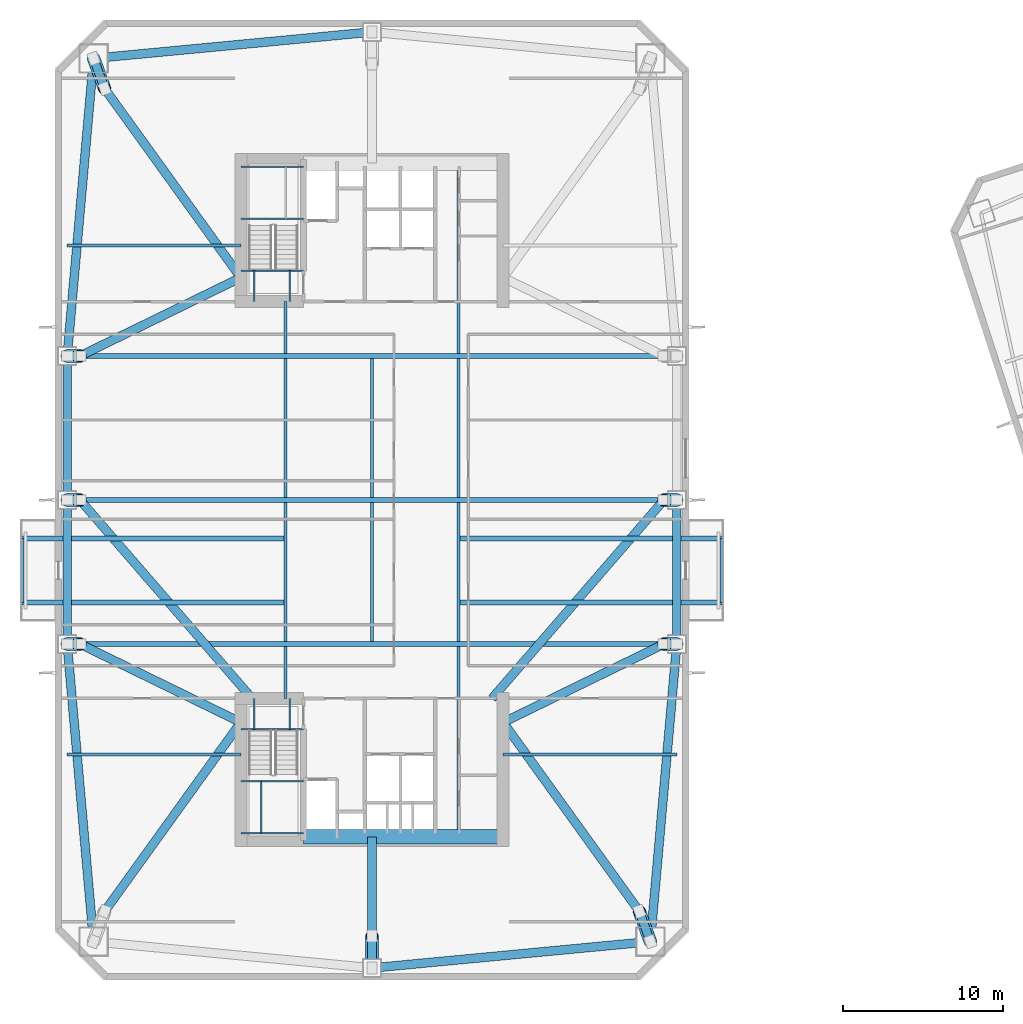
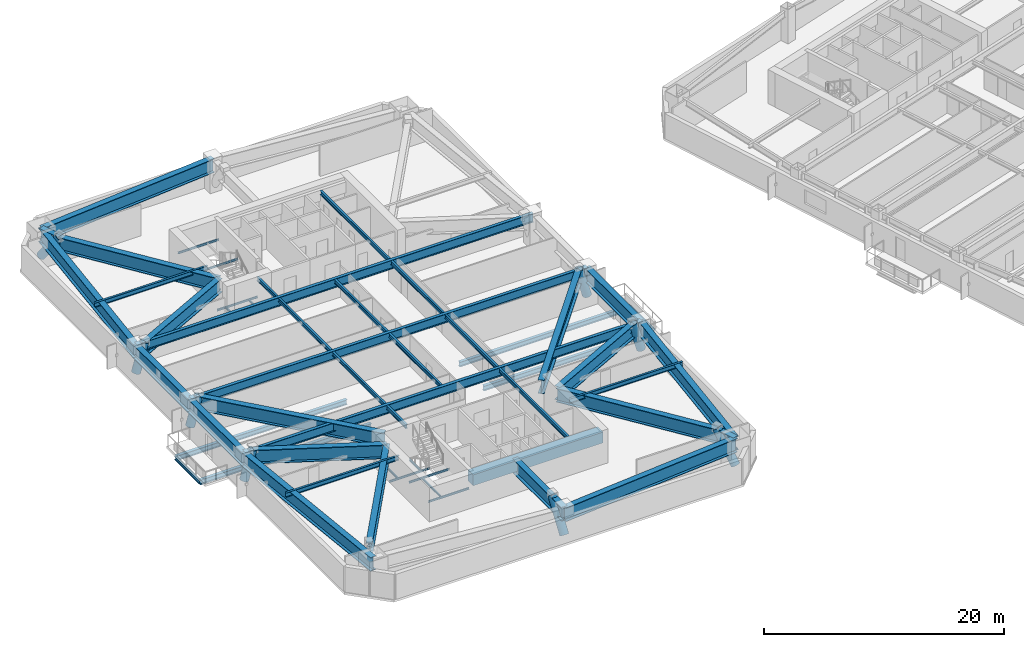
# One storey, part 3 of 19: 59 beams, 8 members.
"""IFC4 building model written with IfcOpenShell, lengths in metres."""

from ifc_helpers import new_model, si_unit, direction, frame, origin, origin_2d, place, context, subcontext, project, spatial, rectangle, hollow_circle, i_section, extrude, material, material_profile, profile_set, type_object, element, save


model = new_model("IFC4")

# Units and contexts
model_context = context("Model", 3, precision=1e-05, world=origin(), true_north=direction((0.0, 1.0)))
body_context = subcontext(model_context, "Body", "Model", "MODEL_VIEW")
ifc_project = project(units=[si_unit("LENGTHUNIT", "METRE"), si_unit("AREAUNIT", "SQUARE_METRE"), si_unit("VOLUMEUNIT", "CUBIC_METRE"), si_unit("PLANEANGLEUNIT", "RADIAN"), si_unit("MASSUNIT", "GRAM", prefix="KILO")], contexts=[model_context])

# Site, building, storey
site_placement = place(None, origin())
site = spatial("IfcSite", under=ifc_project, at=site_placement, CompositionType="ELEMENT")
building_placement = place(site_placement, origin())
building = spatial("IfcBuilding", under=site, at=building_placement, Name="Qiaolan Cultural Towers", CompositionType="ELEMENT")
storey_placement = place(building_placement, frame((0.0, 0.0, 88.550048828125)))
storey = spatial("IfcBuildingStorey", under=building, at=storey_placement, Name="L22", CompositionType="ELEMENT", Elevation=88.550048828125)

# Beams
ifc_material_1 = material(Name="Steel Q420GJB", Category="steel")
ifc_material_profile_1 = material_profile(ifc_material_1, i_section(OverallWidth=0.550048828125, OverallDepth=1.39990234375, WebThickness=0.031982421875, FlangeThickness=0.050048828125, at=origin_2d()), Name="BH1400x550x32x50")
ifc_profile_set_1 = profile_set([ifc_material_profile_1], Name="Steel Q420GJB")
beam_type_1 = type_object("IfcBeamType", Name="BM-BH1400x550x32x50", PredefinedType="BEAM", material=ifc_profile_set_1)
beam_1_placement = place(storey_placement, frame((13.2900390625, 8.2900390625, 2.469970703125), z_axis=(0.584610869257, 0.811313830491, 0.0), x_axis=(-0.811313830491, 0.584610869257, 0.0)))
element("IfcBeam", 1, at=beam_1_placement, inside=storey, type_object=beam_type_1, Name="L22 T1 Setback Transfer Girder MC-SW-B", PredefinedType="BEAM", context=body_context, shape_type="SweptSolid", body=[
    extrude(i_section(OverallWidth=0.550048828125, OverallDepth=1.39990234375, WebThickness=0.031982421875, FlangeThickness=0.050048828125, at=origin_2d()), origin(), (0.0, 0.0, 1.0), 14.556640625),
])
beam_2_placement = place(storey_placement, frame((47.39990234375, 6.39990234375, 2.469970703125), z_axis=(-0.342892389038, 0.939374690706, 0.0), x_axis=(-0.939374690706, -0.342892389038, 0.0)))
element("IfcBeam", 2, at=beam_2_placement, inside=storey, type_object=beam_type_1, Name="L22 T1 Setback Transfer Girder MC-SE-A", PredefinedType="BEAM", context=body_context, shape_type="SweptSolid", body=[
    extrude(i_section(OverallWidth=0.550048828125, OverallDepth=1.39990234375, WebThickness=0.031982421875, FlangeThickness=0.050048828125, at=origin_2d()), origin(), (0.0, 0.0, 1.0), 2.01220703125),
])
beam_3_placement = place(storey_placement, frame((46.7099609375, 8.2900390625, 2.469970703125), z_axis=(-0.584610869257, 0.811313830491, 0.0), x_axis=(-0.811313830491, -0.584610869257, 0.0)))
element("IfcBeam", 3, at=beam_3_placement, inside=storey, type_object=beam_type_1, Name="L22 T1 Setback Transfer Girder MC-SE-B", PredefinedType="BEAM", context=body_context, shape_type="SweptSolid", body=[
    extrude(i_section(OverallWidth=0.550048828125, OverallDepth=1.39990234375, WebThickness=0.031982421875, FlangeThickness=0.050048828125, at=origin_2d()), origin(), (0.0, 0.0, 1.0), 14.556640625),
])
beam_4_placement = place(storey_placement, frame((12.60009765625, 61.60009765625, 2.469970703125), z_axis=(0.342892389038, -0.939374690706, 0.0), x_axis=(0.939374690706, 0.342892389038, 0.0)))
element("IfcBeam", 4, at=beam_4_placement, inside=storey, type_object=beam_type_1, Name="L22 T1 Setback Transfer Girder MC-NW-A", PredefinedType="BEAM", context=body_context, shape_type="SweptSolid", body=[
    extrude(i_section(OverallWidth=0.550048828125, OverallDepth=1.39990234375, WebThickness=0.031982421875, FlangeThickness=0.050048828125, at=origin_2d()), origin(), (0.0, 0.0, 1.0), 2.01220703125),
])
beam_5_placement = place(storey_placement, frame((13.2900390625, 59.7099609375, 2.469970703125), z_axis=(0.584610869257, -0.811313830491, 0.0), x_axis=(0.811313830491, 0.584610869257, 0.0)))
element("IfcBeam", 5, at=beam_5_placement, inside=storey, type_object=beam_type_1, Name="L22 T1 Setback Transfer Girder MC-NW-B", PredefinedType="BEAM", context=body_context, shape_type="SweptSolid", body=[
    extrude(i_section(OverallWidth=0.550048828125, OverallDepth=1.39990234375, WebThickness=0.031982421875, FlangeThickness=0.050048828125, at=origin_2d()), origin(), (0.0, 0.0, 1.0), 14.556640625),
])
beam_6_placement = place(storey_placement, frame((10.949951171875, 25.0, 2.469970703125), z_axis=(1.0, 0.0, 0.0), x_axis=(0.0, 1.0, 0.0)))
element("IfcBeam", 6, at=beam_6_placement, inside=storey, type_object=beam_type_1, Name="L22 T1 Setback Transfer Girder PC-W1-A", PredefinedType="BEAM", context=body_context, shape_type="SweptSolid", body=[
    extrude(i_section(OverallWidth=0.550048828125, OverallDepth=1.39990234375, WebThickness=0.031982421875, FlangeThickness=0.050048828125, at=origin_2d()), origin(), (0.0, 0.0, 1.0), 0.800048828125),
])
beam_7_placement = place(storey_placement, frame((11.75, 25.0, 2.469970703125), z_axis=(0.898858664648, -0.43823863475, 0.0), x_axis=(0.43823863475, 0.898858664648, 0.0)))
element("IfcBeam", 7, at=beam_7_placement, inside=storey, type_object=beam_type_1, Name="L22 T1 Setback Transfer Girder PC-W1-B", PredefinedType="BEAM", context=body_context, shape_type="SweptSolid", body=[
    extrude(i_section(OverallWidth=0.550048828125, OverallDepth=1.39990234375, WebThickness=0.031982421875, FlangeThickness=0.050048828125, at=origin_2d()), origin(), (0.0, 0.0, 1.0), 11.180908203125),
])
beam_8_placement = place(storey_placement, frame((10.949951171875, 34.0, 2.469970703125), z_axis=(1.0, 0.0, 0.0), x_axis=(0.0, 1.0, 0.0)))
element("IfcBeam", 8, at=beam_8_placement, inside=storey, type_object=beam_type_1, Name="L22 T1 Setback Transfer Girder PC-W2-A", PredefinedType="BEAM", context=body_context, shape_type="SweptSolid", body=[
    extrude(i_section(OverallWidth=0.550048828125, OverallDepth=1.39990234375, WebThickness=0.031982421875, FlangeThickness=0.050048828125, at=origin_2d()), origin(), (0.0, 0.0, 1.0), 0.800048828125),
])
beam_9_placement = place(storey_placement, frame((11.75, 34.0, 2.469970703125), z_axis=(0.655049468138, -0.755585993976, 0.0), x_axis=(0.755585993976, 0.655049468138, 0.0)))
element("IfcBeam", 9, at=beam_9_placement, inside=storey, type_object=beam_type_1, Name="L22 T1 Setback Transfer Girder PC-W2-B", PredefinedType="BEAM", context=body_context, shape_type="SweptSolid", body=[
    extrude(i_section(OverallWidth=0.550048828125, OverallDepth=1.39990234375, WebThickness=0.031982421875, FlangeThickness=0.050048828125, at=origin_2d()), origin(), (0.0, 0.0, 1.0), 16.410888671875),
])
beam_10_placement = place(storey_placement, frame((10.949951171875, 43.0, 2.469970703125), z_axis=(1.0, 0.0, 0.0), x_axis=(0.0, 1.0, 0.0)))
element("IfcBeam", 10, at=beam_10_placement, inside=storey, type_object=beam_type_1, Name="L22 T1 Setback Transfer Girder PC-W3-A", PredefinedType="BEAM", context=body_context, shape_type="SweptSolid", body=[
    extrude(i_section(OverallWidth=0.550048828125, OverallDepth=1.39990234375, WebThickness=0.031982421875, FlangeThickness=0.050048828125, at=origin_2d()), origin(), (0.0, 0.0, 1.0), 0.800048828125),
])
beam_11_placement = place(storey_placement, frame((11.75, 43.0, 2.469970703125), z_axis=(0.898858664648, 0.43823863475, 0.0), x_axis=(-0.43823863475, 0.898858664648, 0.0)))
element("IfcBeam", 11, at=beam_11_placement, inside=storey, type_object=beam_type_1, Name="L22 T1 Setback Transfer Girder PC-W3-B", PredefinedType="BEAM", context=body_context, shape_type="SweptSolid", body=[
    extrude(i_section(OverallWidth=0.550048828125, OverallDepth=1.39990234375, WebThickness=0.031982421875, FlangeThickness=0.050048828125, at=origin_2d()), origin(), (0.0, 0.0, 1.0), 11.180908203125),
])
beam_12_placement = place(storey_placement, frame((49.050048828125, 25.0, 2.469970703125), z_axis=(-1.0, 0.0, 0.0), x_axis=(0.0, -1.0, 0.0)))
element("IfcBeam", 12, at=beam_12_placement, inside=storey, type_object=beam_type_1, Name="L22 T1 Setback Transfer Girder PC-E1-A", PredefinedType="BEAM", context=body_context, shape_type="SweptSolid", body=[
    extrude(i_section(OverallWidth=0.550048828125, OverallDepth=1.39990234375, WebThickness=0.031982421875, FlangeThickness=0.050048828125, at=origin_2d()), origin(), (0.0, 0.0, 1.0), 0.800048828125),
])
beam_13_placement = place(storey_placement, frame((48.25, 25.0, 2.469970703125), z_axis=(-0.898858664648, -0.43823863475, 0.0), x_axis=(0.43823863475, -0.898858664648, 0.0)))
element("IfcBeam", 13, at=beam_13_placement, inside=storey, type_object=beam_type_1, Name="L22 T1 Setback Transfer Girder PC-E1-B", PredefinedType="BEAM", context=body_context, shape_type="SweptSolid", body=[
    extrude(i_section(OverallWidth=0.550048828125, OverallDepth=1.39990234375, WebThickness=0.031982421875, FlangeThickness=0.050048828125, at=origin_2d()), origin(), (0.0, 0.0, 1.0), 11.180908203125),
])
beam_14_placement = place(storey_placement, frame((49.050048828125, 34.0, 2.469970703125), z_axis=(-1.0, 0.0, 0.0), x_axis=(0.0, -1.0, 0.0)))
element("IfcBeam", 14, at=beam_14_placement, inside=storey, type_object=beam_type_1, Name="L22 T1 Setback Transfer Girder PC-E2-A", PredefinedType="BEAM", context=body_context, shape_type="SweptSolid", body=[
    extrude(i_section(OverallWidth=0.550048828125, OverallDepth=1.39990234375, WebThickness=0.031982421875, FlangeThickness=0.050048828125, at=origin_2d()), origin(), (0.0, 0.0, 1.0), 0.800048828125),
])
beam_15_placement = place(storey_placement, frame((48.25, 34.0, 2.469970703125), z_axis=(-0.655049468138, -0.755585993976, 0.0), x_axis=(0.755585993976, -0.655049468138, 0.0)))
element("IfcBeam", 15, at=beam_15_placement, inside=storey, type_object=beam_type_1, Name="L22 T1 Setback Transfer Girder PC-E2-B", PredefinedType="BEAM", context=body_context, shape_type="SweptSolid", body=[
    extrude(i_section(OverallWidth=0.550048828125, OverallDepth=1.39990234375, WebThickness=0.031982421875, FlangeThickness=0.050048828125, at=origin_2d()), origin(), (0.0, 0.0, 1.0), 16.410888671875),
])
beam_16_placement = place(storey_placement, frame((30.0, 4.75, 2.469970703125), z_axis=(0.0, 1.0, 0.0), x_axis=(-1.0, 0.0, 0.0)))
element("IfcBeam", 16, at=beam_16_placement, inside=storey, type_object=beam_type_1, Name="L22 T1 Setback Transfer Girder PC-S0-A", PredefinedType="BEAM", context=body_context, shape_type="SweptSolid", body=[
    extrude(i_section(OverallWidth=0.550048828125, OverallDepth=1.39990234375, WebThickness=0.031982421875, FlangeThickness=0.050048828125, at=origin_2d()), origin(), (0.0, 0.0, 1.0), 2.0),
])
beam_17_placement = place(storey_placement, frame((30.0, 6.75, 2.469970703125), z_axis=(0.0, 1.0, 0.0), x_axis=(-1.0, 0.0, 0.0)))
element("IfcBeam", 17, at=beam_17_placement, inside=storey, type_object=beam_type_1, Name="L22 T1 Setback Transfer Girder PC-S0-B", PredefinedType="BEAM", context=body_context, shape_type="SweptSolid", body=[
    extrude(i_section(OverallWidth=0.550048828125, OverallDepth=1.39990234375, WebThickness=0.031982421875, FlangeThickness=0.050048828125, at=origin_2d()), origin(), (0.0, 0.0, 1.0), 6.199951171875),
])
beam_18_placement = place(storey_placement, frame((30.0, 4.75, 2.469970703125), z_axis=(0.995534437156, 0.094399070104, 0.0), x_axis=(-0.094399070104, 0.995534437156, 0.0)))
element("IfcBeam", 18, at=beam_18_placement, inside=storey, type_object=beam_type_1, Name="L22 T1 Perimeter Spandrel Beam 2", PredefinedType="BEAM", context=body_context, shape_type="SweptSolid", body=[
    extrude(i_section(OverallWidth=0.550048828125, OverallDepth=1.39990234375, WebThickness=0.031982421875, FlangeThickness=0.050048828125, at=origin_2d()), origin(), (0.0, 0.0, 1.0), 17.47802734375),
])
beam_19_placement = place(storey_placement, frame((47.39990234375, 6.39990234375, 2.469970703125), z_axis=(0.08837000091, 0.996087718496, 0.0), x_axis=(-0.996087718496, 0.08837000091, 0.0)))
element("IfcBeam", 19, at=beam_19_placement, inside=storey, type_object=beam_type_1, Name="L22 T1 Perimeter Spandrel Beam 3", PredefinedType="BEAM", context=body_context, shape_type="SweptSolid", body=[
    extrude(i_section(OverallWidth=0.550048828125, OverallDepth=1.39990234375, WebThickness=0.031982421875, FlangeThickness=0.050048828125, at=origin_2d()), origin(), (0.0, 0.0, 1.0), 18.673095703125),
])
beam_20_placement = place(storey_placement, frame((49.050048828125, 25.0, 2.469970703125), z_axis=(0.0, 1.0, 0.0), x_axis=(-1.0, 0.0, 0.0)))
element("IfcBeam", 20, at=beam_20_placement, inside=storey, type_object=beam_type_1, Name="L22 T1 Perimeter Spandrel Beam 4", PredefinedType="BEAM", context=body_context, shape_type="SweptSolid", body=[
    extrude(i_section(OverallWidth=0.550048828125, OverallDepth=1.39990234375, WebThickness=0.031982421875, FlangeThickness=0.050048828125, at=origin_2d()), origin(), (0.0, 0.0, 1.0), 9.0),
])
beam_21_placement = place(storey_placement, frame((30.0, 63.25, 2.469970703125), z_axis=(-0.995534437156, -0.094399070104, 0.0), x_axis=(0.094399070104, -0.995534437156, 0.0)))
element("IfcBeam", 21, at=beam_21_placement, inside=storey, type_object=beam_type_1, Name="L22 T1 Perimeter Spandrel Beam 8", PredefinedType="BEAM", context=body_context, shape_type="SweptSolid", body=[
    extrude(i_section(OverallWidth=0.550048828125, OverallDepth=1.39990234375, WebThickness=0.031982421875, FlangeThickness=0.050048828125, at=origin_2d()), origin(), (0.0, 0.0, 1.0), 17.47802734375),
])
beam_22_placement = place(storey_placement, frame((12.60009765625, 61.60009765625, 2.469970703125), z_axis=(-0.08837000091, -0.996087718496, 0.0), x_axis=(0.996087718496, -0.08837000091, 0.0)))
element("IfcBeam", 22, at=beam_22_placement, inside=storey, type_object=beam_type_1, Name="L22 T1 Perimeter Spandrel Beam 9", PredefinedType="BEAM", context=body_context, shape_type="SweptSolid", body=[
    extrude(i_section(OverallWidth=0.550048828125, OverallDepth=1.39990234375, WebThickness=0.031982421875, FlangeThickness=0.050048828125, at=origin_2d()), origin(), (0.0, 0.0, 1.0), 18.673095703125),
])
for number, where, z_axis, x_axis, name in (
    (23, (10.949951171875, 43.0, 2.469970703125), (0.0, -1.0, 0.0), (1.0, 0.0, 0.0), "L22 T1 Perimeter Spandrel Beam 10"),
    (24, (10.949951171875, 34.0, 2.469970703125), (0.0, -1.0, 0.0), (1.0, 0.0, 0.0), "L22 T1 Perimeter Spandrel Beam 11"),
):
    element("IfcBeam", number, at=place(storey_placement, frame(where, z_axis=z_axis, x_axis=x_axis)), inside=storey, type_object=beam_type_1, Name=name, PredefinedType="BEAM", context=body_context, shape_type="SweptSolid", body=[
        extrude(i_section(OverallWidth=0.550048828125, OverallDepth=1.39990234375, WebThickness=0.031982421875, FlangeThickness=0.050048828125, at=origin_2d()), origin(), (0.0, 0.0, 1.0), 9.0),
    ])
beam_23_placement = place(storey_placement, frame((10.949951171875, 25.0, 2.469970703125), z_axis=(0.08837000091, -0.996087718496, 0.0), x_axis=(0.996087718496, 0.08837000091, 0.0)))
element("IfcBeam", 25, at=beam_23_placement, inside=storey, type_object=beam_type_1, Name="L22 T1 Perimeter Spandrel Beam 12", PredefinedType="BEAM", context=body_context, shape_type="SweptSolid", body=[
    extrude(i_section(OverallWidth=0.550048828125, OverallDepth=1.39990234375, WebThickness=0.031982421875, FlangeThickness=0.050048828125, at=origin_2d()), origin(), (0.0, 0.0, 1.0), 18.673095703125),
])
ifc_material_2 = material(Name="Steel Q355B", Category="steel")
ifc_material_profile_2 = material_profile(ifc_material_2, i_section(OverallWidth=0.300048828125, OverallDepth=0.488037109375, WebThickness=0.010986328125, FlangeThickness=0.01806640625, at=origin_2d()), Name="HM488x300x11x18")
ifc_profile_set_2 = profile_set([ifc_material_profile_2], Name="Steel Q355B")
beam_type_2 = type_object("IfcBeamType", Name="BM-HM488x300x11x18", PredefinedType="BEAM", material=ifc_profile_set_2)
for number, where, z_axis, x_axis, name in (
    (26, (24.60009765625, 27.60009765625, -0.524169921875), (-1.0, 0.0, 0.0), (0.0, -1.0, 0.0), "L22 T1 Tree Balcony Back-Spanned Bracket Beam"),
    (27, (24.60009765625, 31.60009765625, -0.524169921875), (-1.0, 0.0, 0.0), (0.0, -1.0, 0.0), "L22 T1 Tree Balcony Back-Spanned Bracket Beam"),
    (28, (35.39990234375, 27.60009765625, -0.524169921875), (1.0, 0.0, 0.0), (0.0, 1.0, 0.0), "L22 T1 Tree Balcony Back-Spanned Bracket Beam"),
    (29, (35.39990234375, 31.60009765625, -0.524169921875), (1.0, 0.0, 0.0), (0.0, 1.0, 0.0), "L22 T1 Tree Balcony Back-Spanned Bracket Beam"),
):
    element("IfcBeam", number, at=place(storey_placement, frame(where, z_axis=z_axis, x_axis=x_axis)), inside=storey, type_object=beam_type_2, Name=name, PredefinedType="BEAM", context=body_context, shape_type="SweptSolid", body=[
        extrude(i_section(OverallWidth=0.300048828125, OverallDepth=0.488037109375, WebThickness=0.010986328125, FlangeThickness=0.01806640625, at=origin_2d()), origin(), (0.0, 0.0, 1.0), 16.4501953125),
    ])
ifc_material_3 = material(Name="Steel Q355B", Category="steel")
ifc_material_profile_3 = material_profile(ifc_material_3, i_section(OverallWidth=0.300048828125, OverallDepth=0.89990234375, WebThickness=0.01611328125, FlangeThickness=0.028076171875, at=origin_2d()), Name="HN900x300x16x28")
ifc_profile_set_3 = profile_set([ifc_material_profile_3], Name="Steel Q355B")
beam_type_3 = type_object("IfcBeamType", Name="BM-HN900x300x16x28", PredefinedType="BEAM", material=ifc_profile_set_3)
for number, where, z_axis, x_axis, name in (
    (30, (10.949951171875, 25.0, 2.719970703125), (1.0, 0.0, 0.0), (0.0, 1.0, 0.0), "L22 T1 Primary Transverse Girder V1"),
    (31, (10.949951171875, 34.0, 2.719970703125), (1.0, 0.0, 0.0), (0.0, 1.0, 0.0), "L22 T1 Primary Transverse Girder V2"),
    (32, (10.949951171875, 43.0, 2.719970703125), (1.0, 0.0, 0.0), (0.0, 1.0, 0.0), "L22 T1 Primary Transverse Girder V3"),
):
    element("IfcBeam", number, at=place(storey_placement, frame(where, z_axis=z_axis, x_axis=x_axis)), inside=storey, type_object=beam_type_3, Name=name, PredefinedType="BEAM", context=body_context, shape_type="SweptSolid", body=[
        extrude(i_section(OverallWidth=0.300048828125, OverallDepth=0.89990234375, WebThickness=0.01611328125, FlangeThickness=0.028076171875, at=origin_2d()), origin(), (0.0, 0.0, 1.0), 38.10009765625),
    ])
ifc_material_4 = material(Name="Steel Q355B", Category="steel")
ifc_material_profile_4 = material_profile(ifc_material_4, i_section(OverallWidth=0.175048828125, OverallDepth=0.35009765625, WebThickness=0.007080078125, FlangeThickness=0.010986328125, at=origin_2d()), Name="HN350x175x7x11")
ifc_profile_set_4 = profile_set([ifc_material_profile_4], Name="Steel Q355B")
beam_type_4 = type_object("IfcBeamType", Name="BM-JST-HN350x175x7x11", PredefinedType="JOIST", material=ifc_profile_set_4)
for number, where, z_axis, x_axis, name in (
    (33, (8.14990234375, 27.60009765625, -0.524169921875), (0.0, 1.0, 0.0), (-1.0, 0.0, 0.0), "L22 T1 Tree Balcony Outer Edge Beam"),
    (34, (51.85009765625, 27.60009765625, -0.524169921875), (0.0, 1.0, 0.0), (-1.0, 0.0, 0.0), "L22 T1 Tree Balcony Outer Edge Beam"),
):
    element("IfcBeam", number, at=place(storey_placement, frame(where, z_axis=z_axis, x_axis=x_axis)), inside=storey, type_object=beam_type_4, Name=name, PredefinedType="JOIST", context=body_context, shape_type="SweptSolid", body=[
        extrude(i_section(OverallWidth=0.175048828125, OverallDepth=0.35009765625, WebThickness=0.007080078125, FlangeThickness=0.010986328125, at=origin_2d()), origin(), (0.0, 0.0, 1.0), 4.0),
    ])
ifc_material_5 = material(Name="Steel Q355B", Category="steel")
ifc_material_profile_5 = material_profile(ifc_material_5, i_section(OverallWidth=0.199951171875, OverallDepth=0.39990234375, WebThickness=0.008056640625, FlangeThickness=0.012939453125, at=origin_2d()), Name="HN400x200x8x13")
ifc_profile_set_5 = profile_set([ifc_material_profile_5], Name="Steel Q355B")
beam_type_5 = type_object("IfcBeamType", Name="BM-JST-HN400x200x8x13", PredefinedType="JOIST", material=ifc_profile_set_5)
beam_24_placement = place(storey_placement, frame((24.60009765625, 21.60009765625, 2.969970703125), z_axis=(0.0, 1.0, 0.0), x_axis=(-1.0, 0.0, 0.0)))
element("IfcBeam", 35, at=beam_24_placement, inside=storey, type_object=beam_type_5, Name="L22 T1 Secondary Floor Joist U1-1", PredefinedType="JOIST", context=body_context, shape_type="SweptSolid", body=[
    extrude(i_section(OverallWidth=0.199951171875, OverallDepth=0.39990234375, WebThickness=0.008056640625, FlangeThickness=0.012939453125, at=origin_2d()), origin(), (0.0, 0.0, 1.0), 3.25),
])
for number, where, z_axis, x_axis, name in (
    (36, (24.60009765625, 25.14990234375, 2.969970703125), (0.0, 1.0, 0.0), (-1.0, 0.0, 0.0), "L22 T1 Secondary Floor Joist U1-2"),
    (37, (24.60009765625, 34.14990234375, 2.969970703125), (0.0, 1.0, 0.0), (-1.0, 0.0, 0.0), "L22 T1 Secondary Floor Joist U1-3"),
):
    element("IfcBeam", number, at=place(storey_placement, frame(where, z_axis=z_axis, x_axis=x_axis)), inside=storey, type_object=beam_type_5, Name=name, PredefinedType="JOIST", context=body_context, shape_type="SweptSolid", body=[
        extrude(i_section(OverallWidth=0.199951171875, OverallDepth=0.39990234375, WebThickness=0.008056640625, FlangeThickness=0.012939453125, at=origin_2d()), origin(), (0.0, 0.0, 1.0), 8.7001953125),
    ])
beam_25_placement = place(storey_placement, frame((24.60009765625, 43.14990234375, 2.969970703125), z_axis=(0.0, 1.0, 0.0), x_axis=(-1.0, 0.0, 0.0)))
element("IfcBeam", 38, at=beam_25_placement, inside=storey, type_object=beam_type_5, Name="L22 T1 Secondary Floor Joist U1-4", PredefinedType="JOIST", context=body_context, shape_type="SweptSolid", body=[
    extrude(i_section(OverallWidth=0.199951171875, OverallDepth=0.39990234375, WebThickness=0.008056640625, FlangeThickness=0.012939453125, at=origin_2d()), origin(), (0.0, 0.0, 1.0), 3.25),
])
for number, where, z_axis, x_axis, name in (
    (39, (30.0, 25.14990234375, 2.969970703125), (0.0, 1.0, 0.0), (-1.0, 0.0, 0.0), "L22 T1 Secondary Floor Joist U2-2"),
    (40, (30.0, 34.14990234375, 2.969970703125), (0.0, 1.0, 0.0), (-1.0, 0.0, 0.0), "L22 T1 Secondary Floor Joist U2-3"),
):
    element("IfcBeam", number, at=place(storey_placement, frame(where, z_axis=z_axis, x_axis=x_axis)), inside=storey, type_object=beam_type_5, Name=name, PredefinedType="JOIST", context=body_context, shape_type="SweptSolid", body=[
        extrude(i_section(OverallWidth=0.199951171875, OverallDepth=0.39990234375, WebThickness=0.008056640625, FlangeThickness=0.012939453125, at=origin_2d()), origin(), (0.0, 0.0, 1.0), 8.7001953125),
    ])
beam_26_placement = place(storey_placement, frame((35.39990234375, 13.39990234375, 2.969970703125), z_axis=(0.0, 1.0, 0.0), x_axis=(-1.0, 0.0, 0.0)))
element("IfcBeam", 41, at=beam_26_placement, inside=storey, type_object=beam_type_5, Name="L22 T1 Secondary Floor Joist U3-1", PredefinedType="JOIST", context=body_context, shape_type="SweptSolid", body=[
    extrude(i_section(OverallWidth=0.199951171875, OverallDepth=0.39990234375, WebThickness=0.008056640625, FlangeThickness=0.012939453125, at=origin_2d()), origin(), (0.0, 0.0, 1.0), 11.4501953125),
])
for number, where, z_axis, x_axis, name in (
    (42, (35.39990234375, 25.14990234375, 2.969970703125), (0.0, 1.0, 0.0), (-1.0, 0.0, 0.0), "L22 T1 Secondary Floor Joist U3-2"),
    (43, (35.39990234375, 34.14990234375, 2.969970703125), (0.0, 1.0, 0.0), (-1.0, 0.0, 0.0), "L22 T1 Secondary Floor Joist U3-3"),
):
    element("IfcBeam", number, at=place(storey_placement, frame(where, z_axis=z_axis, x_axis=x_axis)), inside=storey, type_object=beam_type_5, Name=name, PredefinedType="JOIST", context=body_context, shape_type="SweptSolid", body=[
        extrude(i_section(OverallWidth=0.199951171875, OverallDepth=0.39990234375, WebThickness=0.008056640625, FlangeThickness=0.012939453125, at=origin_2d()), origin(), (0.0, 0.0, 1.0), 8.7001953125),
    ])
beam_27_placement = place(storey_placement, frame((35.39990234375, 43.14990234375, 2.969970703125), z_axis=(0.0, 1.0, 0.0), x_axis=(-1.0, 0.0, 0.0)))
element("IfcBeam", 44, at=beam_27_placement, inside=storey, type_object=beam_type_5, Name="L22 T1 Secondary Floor Joist U3-4", PredefinedType="JOIST", context=body_context, shape_type="SweptSolid", body=[
    extrude(i_section(OverallWidth=0.199951171875, OverallDepth=0.39990234375, WebThickness=0.008056640625, FlangeThickness=0.012939453125, at=origin_2d()), origin(), (0.0, 0.0, 1.0), 11.4501953125),
])
ifc_material_6 = material(Name="Steel Q355B", Category="steel")
ifc_material_profile_6 = material_profile(ifc_material_6, i_section(OverallWidth=0.199951171875, OverallDepth=0.449951171875, WebThickness=0.009033203125, FlangeThickness=0.013916015625, at=origin_2d()), Name="HN450x200x9x14")
ifc_profile_set_6 = profile_set([ifc_material_profile_6], Name="Steel Q355B")
beam_type_6 = type_object("IfcBeamType", Name="BM-LNT-HN450x200x9x14", PredefinedType="LINTEL", material=ifc_profile_set_6)
for number, where, z_axis, x_axis, name in (
    (45, (21.800048828125, 18.10009765625, 2.945068359375), (-1.0, 0.0, 0.0), (0.0, -1.0, 0.0), "L22 T1 Core Flank Tie Lintel WS"),
    (46, (21.800048828125, 49.89990234375, 2.945068359375), (-1.0, 0.0, 0.0), (0.0, -1.0, 0.0), "L22 T1 Core Flank Tie Lintel WN"),
    (47, (38.199951171875, 18.10009765625, 2.945068359375), (1.0, 0.0, 0.0), (0.0, 1.0, 0.0), "L22 T1 Core Flank Tie Lintel ES"),
):
    element("IfcBeam", number, at=place(storey_placement, frame(where, z_axis=z_axis, x_axis=x_axis)), inside=storey, type_object=beam_type_6, Name=name, PredefinedType="LINTEL", context=body_context, shape_type="SweptSolid", body=[
        extrude(i_section(OverallWidth=0.199951171875, OverallDepth=0.449951171875, WebThickness=0.009033203125, FlangeThickness=0.013916015625, at=origin_2d()), origin(), (0.0, 0.0, 1.0), 10.85009765625),
    ])
ifc_material_7 = material(Name="Concrete C50", Category="concrete")
ifc_material_profile_7 = material_profile(ifc_material_7, rectangle(XDim=0.89990234375, YDim=1.10009765625, at=origin_2d()), Name="RC900x1100")
ifc_profile_set_7 = profile_set([ifc_material_profile_7], Name="Concrete C50")
beam_type_7 = type_object("IfcBeamType", Name="BM-RC900x1100", PredefinedType="BEAM", material=ifc_profile_set_7)
beam_28_placement = place(storey_placement, frame((25.719970703125, 12.949951171875, 2.619873046875), z_axis=(1.0, 0.0, 0.0), x_axis=(0.0, 1.0, 0.0)))
element("IfcBeam", 48, at=beam_28_placement, inside=storey, type_object=beam_type_7, Name="L22 T1 Core Header Girder S", PredefinedType="BEAM", context=body_context, shape_type="SweptSolid", body=[
    extrude(rectangle(XDim=0.89990234375, YDim=1.10009765625, at=origin_2d()), origin(), (0.0, 0.0, 1.0), 12.47998046875),
])
ifc_material_8 = material(Name="Steel Q355B", Category="steel")
ifc_material_profile_8 = material_profile(ifc_material_8, i_section(OverallWidth=0.10009765625, OverallDepth=0.199951171875, WebThickness=0.005615234375, FlangeThickness=0.008056640625, at=origin_2d()), Name="HN200x100x5.5x8")
ifc_profile_set_8 = profile_set([ifc_material_profile_8], Name="Steel Q355B")
beam_type_8 = type_object("IfcBeamType", Name="BM-STTRIM-200", PredefinedType="BEAM", material=ifc_profile_set_8)
beam_29_placement = place(storey_placement, frame((21.800048828125, 19.659912109375, -0.4599609375), z_axis=(1.0, 0.0, 0.0), x_axis=(0.0, 1.0, 0.0)))
element("IfcBeam", 49, at=beam_29_placement, inside=storey, type_object=beam_type_8, Name="L22 ST-W1 Floor Landing Header Beam", PredefinedType="BEAM", context=body_context, shape_type="SweptSolid", body=[
    extrude(i_section(OverallWidth=0.10009765625, OverallDepth=0.199951171875, WebThickness=0.005615234375, FlangeThickness=0.008056640625, at=origin_2d()), origin(), (0.0, 0.0, 1.0), 3.919921875),
])
for number, where, z_axis, x_axis, name in (
    (50, (22.64990234375, 21.60009765625, -0.4599609375), (0.0, -1.0, 0.0), (1.0, 0.0, 0.0), "L22 ST-W1 Floor Landing Stringer 1"),
    (51, (24.85009765625, 21.60009765625, -0.4599609375), (0.0, -1.0, 0.0), (1.0, 0.0, 0.0), "L22 ST-W1 Floor Landing Stringer 2"),
):
    element("IfcBeam", number, at=place(storey_placement, frame(where, z_axis=z_axis, x_axis=x_axis)), inside=storey, type_object=beam_type_8, Name=name, PredefinedType="BEAM", context=body_context, shape_type="SweptSolid", body=[
        extrude(i_section(OverallWidth=0.10009765625, OverallDepth=0.199951171875, WebThickness=0.005615234375, FlangeThickness=0.008056640625, at=origin_2d()), origin(), (0.0, 0.0, 1.0), 1.940185546875),
    ])
for number, where, z_axis, x_axis, name in (
    (52, (21.800048828125, 16.411376953125, 1.425048828125), (1.0, 0.0, 0.0), (0.0, 1.0, 0.0), "L22 ST-W1 Stair Landing Support Beam 1-1"),
    (53, (21.800048828125, 13.179931640625, 1.425048828125), (1.0, 0.0, 0.0), (0.0, 1.0, 0.0), "L22 ST-W1 Stair Landing Support Beam 1-2"),
):
    element("IfcBeam", number, at=place(storey_placement, frame(where, z_axis=z_axis, x_axis=x_axis)), inside=storey, type_object=beam_type_8, Name=name, PredefinedType="BEAM", context=body_context, shape_type="SweptSolid", body=[
        extrude(i_section(OverallWidth=0.10009765625, OverallDepth=0.199951171875, WebThickness=0.005615234375, FlangeThickness=0.008056640625, at=origin_2d()), origin(), (0.0, 0.0, 1.0), 3.919921875),
    ])
beam_30_placement = place(storey_placement, frame((23.070068359375, 16.411376953125, 1.425048828125), z_axis=(0.0, -1.0, 0.0), x_axis=(1.0, 0.0, 0.0)))
element("IfcBeam", 54, at=beam_30_placement, inside=storey, type_object=beam_type_8, Name="L22 ST-W1 Stair Landing Trimmer 1", PredefinedType="BEAM", context=body_context, shape_type="SweptSolid", body=[
    extrude(i_section(OverallWidth=0.10009765625, OverallDepth=0.199951171875, WebThickness=0.005615234375, FlangeThickness=0.008056640625, at=origin_2d()), origin(), (0.0, 0.0, 1.0), 3.2314453125),
])
beam_31_placement = place(storey_placement, frame((21.800048828125, 48.340087890625, -0.4599609375), z_axis=(1.0, 0.0, 0.0), x_axis=(0.0, 1.0, 0.0)))
element("IfcBeam", 55, at=beam_31_placement, inside=storey, type_object=beam_type_8, Name="L22 ST-W2 Floor Landing Header Beam", PredefinedType="BEAM", context=body_context, shape_type="SweptSolid", body=[
    extrude(i_section(OverallWidth=0.10009765625, OverallDepth=0.199951171875, WebThickness=0.005615234375, FlangeThickness=0.008056640625, at=origin_2d()), origin(), (0.0, 0.0, 1.0), 3.919921875),
])
for number, where, z_axis, x_axis, name in (
    (56, (22.64990234375, 46.39990234375, -0.4599609375), (0.0, 1.0, 0.0), (-1.0, 0.0, 0.0), "L22 ST-W2 Floor Landing Stringer 1"),
    (57, (24.85009765625, 46.39990234375, -0.4599609375), (0.0, 1.0, 0.0), (-1.0, 0.0, 0.0), "L22 ST-W2 Floor Landing Stringer 2"),
):
    element("IfcBeam", number, at=place(storey_placement, frame(where, z_axis=z_axis, x_axis=x_axis)), inside=storey, type_object=beam_type_8, Name=name, PredefinedType="BEAM", context=body_context, shape_type="SweptSolid", body=[
        extrude(i_section(OverallWidth=0.10009765625, OverallDepth=0.199951171875, WebThickness=0.005615234375, FlangeThickness=0.008056640625, at=origin_2d()), origin(), (0.0, 0.0, 1.0), 1.940185546875),
    ])
for number, where, z_axis, x_axis, name in (
    (58, (21.800048828125, 51.588623046875, 1.425048828125), (1.0, 0.0, 0.0), (0.0, 1.0, 0.0), "L22 ST-W2 Stair Landing Support Beam 1-1"),
    (59, (21.800048828125, 54.820068359375, 1.425048828125), (1.0, 0.0, 0.0), (0.0, 1.0, 0.0), "L22 ST-W2 Stair Landing Support Beam 1-2"),
):
    element("IfcBeam", number, at=place(storey_placement, frame(where, z_axis=z_axis, x_axis=x_axis)), inside=storey, type_object=beam_type_8, Name=name, PredefinedType="BEAM", context=body_context, shape_type="SweptSolid", body=[
        extrude(i_section(OverallWidth=0.10009765625, OverallDepth=0.199951171875, WebThickness=0.005615234375, FlangeThickness=0.008056640625, at=origin_2d()), origin(), (0.0, 0.0, 1.0), 3.919921875),
    ])

# Members
ifc_material_9 = material(Name="Steel Q390GJB", Category="steel")
ifc_material_profile_9 = material_profile(ifc_material_9, hollow_circle(Radius=0.39990234375, WallThickness=0.0400390625, at=origin_2d()), Name="CHS800x40")
ifc_profile_set_9 = profile_set([ifc_material_profile_9], Name="Steel Q390GJB")
member_type = type_object("IfcMemberType", Name="MBR-BRC-CHS800x40", PredefinedType="BRACE", material=ifc_profile_set_9)
for number, where, z_axis, x_axis, name in (
    (60, (47.39990234375, 6.39990234375, 0.300048828125), (-0.196846653485, 0.539273457635, 0.818801278029), (-0.939374690706, -0.342892389038, 0.0), "L22 T1 Setback Transfer Raker Strut MC-SE"),
    (61, (12.60009765625, 61.60009765625, 0.300048828125), (0.196846653485, -0.539273457635, 0.818801278029), (0.939374690706, 0.342892389038, 0.0), "L22 T1 Setback Transfer Raker Strut MC-NW"),
):
    element("IfcMember", number, at=place(storey_placement, frame(where, z_axis=z_axis, x_axis=x_axis)), inside=storey, type_object=member_type, Name=name, PredefinedType="BRACE", context=body_context, shape_type="SweptSolid", body=[
        extrude(hollow_circle(Radius=0.39990234375, WallThickness=0.0400390625, at=origin_2d()), origin(), (0.0, 0.0, 1.0), 3.5048828125),
    ])
for number, where, z_axis, x_axis, name in (
    (62, (10.949951171875, 25.0, 0.300048828125), (0.268535523213, 0.0, 0.963269781926), (0.0, 1.0, 0.0), "L22 T1 Setback Transfer Raker Strut PC-W1"),
    (63, (10.949951171875, 34.0, 0.300048828125), (0.268535523213, 0.0, 0.963269781926), (0.0, 1.0, 0.0), "L22 T1 Setback Transfer Raker Strut PC-W2"),
    (64, (10.949951171875, 43.0, 0.300048828125), (0.268535523213, 0.0, 0.963269781926), (0.0, 1.0, 0.0), "L22 T1 Setback Transfer Raker Strut PC-W3"),
    (65, (49.050048828125, 25.0, 0.300048828125), (-0.268535523213, 0.0, 0.963269781926), (0.0, -1.0, 0.0), "L22 T1 Setback Transfer Raker Strut PC-E1"),
    (66, (49.050048828125, 34.0, 0.300048828125), (-0.268535523213, 0.0, 0.963269781926), (0.0, -1.0, 0.0), "L22 T1 Setback Transfer Raker Strut PC-E2"),
):
    element("IfcMember", number, at=place(storey_placement, frame(where, z_axis=z_axis, x_axis=x_axis)), inside=storey, type_object=member_type, Name=name, PredefinedType="BRACE", context=body_context, shape_type="SweptSolid", body=[
        extrude(hollow_circle(Radius=0.39990234375, WallThickness=0.0400390625, at=origin_2d()), origin(), (0.0, 0.0, 1.0), 2.979248046875),
    ])
member_placement = place(storey_placement, frame((30.0, 4.75, 0.300048828125), z_axis=(0.0, 0.571751379918, 0.82042693737), x_axis=(-1.0, 0.0, 0.0)))
element("IfcMember", 67, at=member_placement, inside=storey, type_object=member_type, Name="L22 T1 Setback Transfer Raker Strut PC-S0", PredefinedType="BRACE", context=body_context, shape_type="SweptSolid", body=[
    extrude(hollow_circle(Radius=0.39990234375, WallThickness=0.0400390625, at=origin_2d()), origin(), (0.0, 0.0, 1.0), 3.498046875),
])

save(model, "model.ifc")
